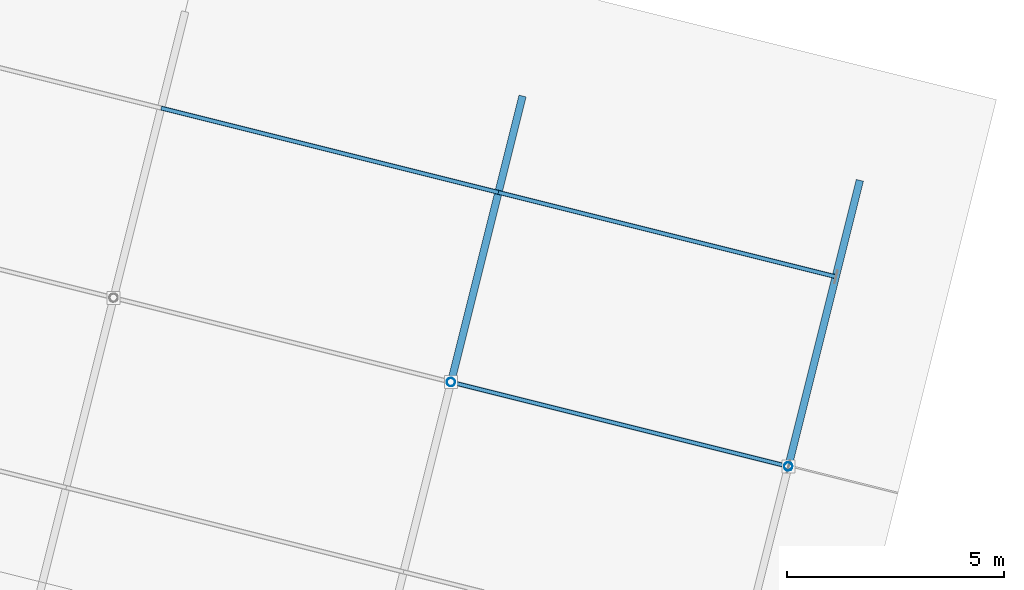
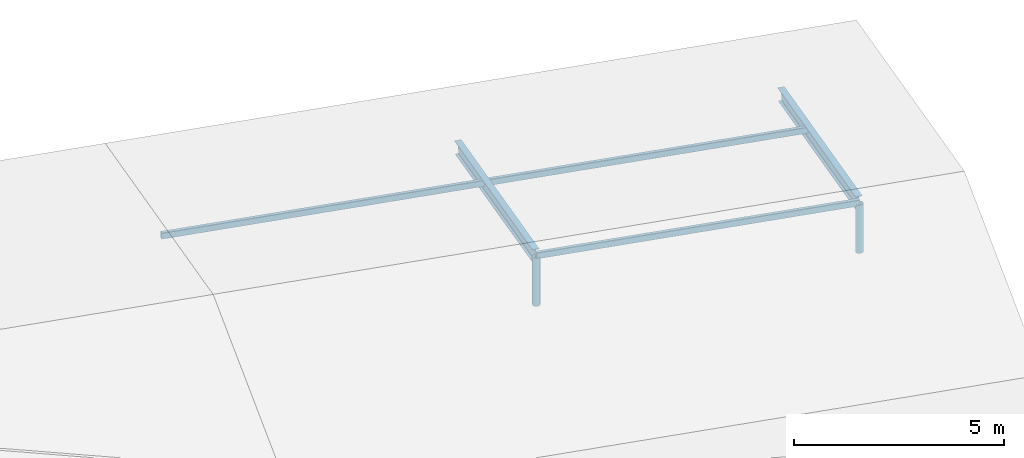
# One storey, part 67 of 107: 7 members.
"""IFC4 building model written with IfcOpenShell, lengths in metres."""

from ifc_helpers import new_model, si_unit, derived_unit, direction, frame, origin, origin_2d, place, context, subcontext, project, spatial, hollow_rectangle, hollow_circle, i_section, extrude, material, material_profile, profile_set, type_object, element, save


model = new_model("IFC4")

# Units and contexts
model_context = context("Model", 3, precision=1e-05, world=origin(), true_north=direction((0.0, 1.0)))
body_context = subcontext(model_context, "Body", "Model", "MODEL_VIEW")
ifc_project = project(units=[si_unit("LENGTHUNIT", "METRE"), si_unit("AREAUNIT", "SQUARE_METRE"), si_unit("VOLUMEUNIT", "CUBIC_METRE"), si_unit("PLANEANGLEUNIT", "RADIAN"), si_unit("MASSUNIT", "GRAM", prefix="KILO"), si_unit("THERMODYNAMICTEMPERATUREUNIT", "KELVIN"), si_unit("TIMEUNIT", "SECOND"), derived_unit("THERMALTRANSMITTANCEUNIT", [(si_unit("MASSUNIT", "GRAM", prefix="KILO"), 1), (si_unit("THERMODYNAMICTEMPERATUREUNIT", "KELVIN"), -1), (si_unit("TIMEUNIT", "SECOND"), -3)])], contexts=[model_context])

# Site, building, storey
site_placement = place(None, origin())
site = spatial("IfcSite", under=ifc_project, at=site_placement, CompositionType="ELEMENT")
building_placement = place(site_placement, origin())
building = spatial("IfcBuilding", under=site, at=building_placement, Name="Cambertide Market Hall", CompositionType="ELEMENT")
storey_placement = place(building_placement, frame((0.0, 0.0, 18.300048828125)))
storey = spatial("IfcBuildingStorey", under=building, at=storey_placement, Name="RF", CompositionType="ELEMENT", Elevation=18.300048828125)

# Members
ifc_material_1 = material(Name="Steel S355", Category="steel")
ifc_material_profile_1 = material_profile(ifc_material_1, i_section(OverallWidth=0.169921875, OverallDepth=0.360107421875, WebThickness=0.008056640625, FlangeThickness=0.0126953125, FilletRadius=0.01806640625, at=origin_2d()), Name="IPE 360")
ifc_profile_set_1 = profile_set([ifc_material_profile_1], Name="Steel S355")
member_type_1 = type_object("IfcMemberType", Name="Radial Fan Rafter IPE 360", PredefinedType="RAFTER", material=ifc_profile_set_1)
member_1_placement = place(storey_placement, frame((167.2392578125, 106.0634765625, 1.003173828125), z_axis=(0.2376832779, 0.950662224848, -0.199368988695), x_axis=(-0.970138244761, 0.242552645939, 0.0)))
element("IfcMember", 1, at=member_1_placement, inside=storey, type_object=member_type_1, Name="RAF-V4-8-4", PredefinedType="RAFTER", context=body_context, shape_type="SweptSolid", body=[
    extrude(i_section(OverallWidth=0.169921875, OverallDepth=0.360107421875, WebThickness=0.008056640625, FlangeThickness=0.0126953125, FilletRadius=0.01806640625, at=origin_2d()), origin(), (0.0, 0.0, 1.0), 6.88818359375),
])
member_2_placement = place(storey_placement, frame((175.00048828125, 104.123046875, 1.003173828125), z_axis=(0.237675269494, 0.950665635794, -0.199362271235), x_axis=(-0.970140372565, 0.242544135198, 0.0)))
element("IfcMember", 2, at=member_2_placement, inside=storey, type_object=member_type_1, Name="RAF-V4-9-4", PredefinedType="RAFTER", context=body_context, shape_type="SweptSolid", body=[
    extrude(i_section(OverallWidth=0.169921875, OverallDepth=0.360107421875, WebThickness=0.008056640625, FlangeThickness=0.0126953125, FilletRadius=0.01806640625, at=origin_2d()), origin(), (0.0, 0.0, 1.0), 6.888427734375),
])
ifc_material_2 = material(Name="Steel S275", Category="steel")
ifc_material_profile_2 = material_profile(ifc_material_2, hollow_rectangle(XDim=0.10009765625, YDim=0.179931640625, WallThickness=0.00634765625, InnerFilletRadius=0.00634765625, OuterFilletRadius=0.0126953125, at=origin_2d()), Name="RHS 180x100x6.3")
ifc_profile_set_2 = profile_set([ifc_material_profile_2], Name="Steel S275")
member_type_2 = type_object("IfcMemberType", Name="Roof Purlin RHS 180x100x6.3", PredefinedType="PURLIN", material=ifc_profile_set_2)
for number, where, z_axis, x_axis, name in (
    (3, (160.569580078125, 112.369384765625, 0.11767578125), (0.970138909791, -0.242549986002, 0.0), (0.242549986002, 0.970138909791, 0.0), "PUR-V4-7-247"),
    (4, (167.2392578125, 106.0634765625, 1.033203125), (0.970138909791, -0.242549986002, 0.0), (0.242549986002, 0.970138909791, 0.0), "PUR-V4-8-202"),
):
    element("IfcMember", number, at=place(storey_placement, frame(where, z_axis=z_axis, x_axis=x_axis)), inside=storey, type_object=member_type_2, Name=name, PredefinedType="PURLIN", context=body_context, shape_type="SweptSolid", body=[
        extrude(hollow_rectangle(XDim=0.10009765625, YDim=0.179931640625, WallThickness=0.00634765625, InnerFilletRadius=0.00634765625, OuterFilletRadius=0.0126953125, at=origin_2d()), origin(), (0.0, 0.0, 1.0), 8.000244140625),
    ])
member_3_placement = place(storey_placement, frame((168.330810546875, 110.428955078125, 0.11767578125), z_axis=(0.970144295309, -0.242528444268, 0.0), x_axis=(0.242528444268, 0.970144295309, 0.0)))
element("IfcMember", 5, at=member_3_placement, inside=storey, type_object=member_type_2, Name="PUR-V4-8-247", PredefinedType="PURLIN", context=body_context, shape_type="SweptSolid", body=[
    extrude(hollow_rectangle(XDim=0.10009765625, YDim=0.179931640625, WallThickness=0.00634765625, InnerFilletRadius=0.00634765625, OuterFilletRadius=0.0126953125, at=origin_2d()), origin(), (0.0, 0.0, 1.0), 7.999755859375),
])
ifc_material_3 = material(Name="Steel S355", Category="steel")
ifc_material_profile_3 = material_profile(ifc_material_3, hollow_circle(Radius=0.096923828125, WallThickness=0.00634765625, at=origin_2d()), Name="CHS 193.7x6.3")
ifc_profile_set_3 = profile_set([ifc_material_profile_3], Name="Steel S355")
member_type_3 = type_object("IfcMemberType", Name="Structural Brace CHS 193.7x6.3", PredefinedType="BRACE", material=ifc_profile_set_3)
for number, where, z_axis, x_axis, name in (
    (6, (167.2392578125, 106.0634765625, -0.400146484375), (0.0, 0.0, 1.0), (1.0, 0.0, 0.0), "KP-V4-8-202"),
    (7, (175.00048828125, 104.123046875, -0.400146484375), (0.0, 0.0, 1.0), (1.0, 0.0, 0.0), "KP-V4-9-202"),
):
    element("IfcMember", number, at=place(storey_placement, frame(where, z_axis=z_axis, x_axis=x_axis)), inside=storey, type_object=member_type_3, Name=name, PredefinedType="BRACE", context=body_context, shape_type="SweptSolid", body=[
        extrude(hollow_circle(Radius=0.096923828125, WallThickness=0.00634765625, at=origin_2d()), origin(), (0.0, 0.0, 1.0), 1.4033203125),
    ])

save(model, "model.ifc")
